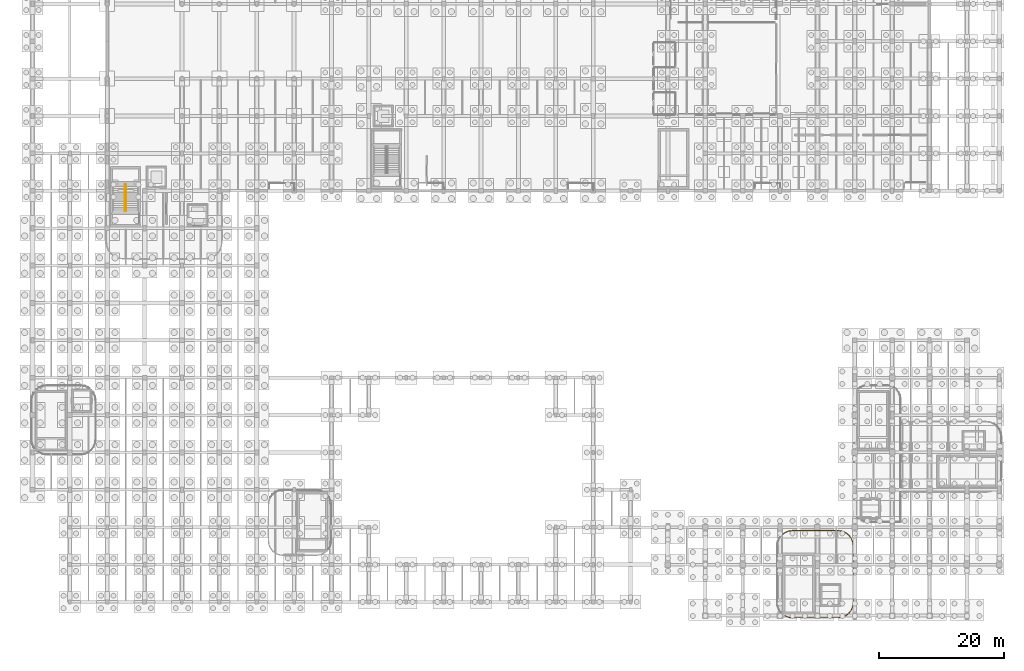
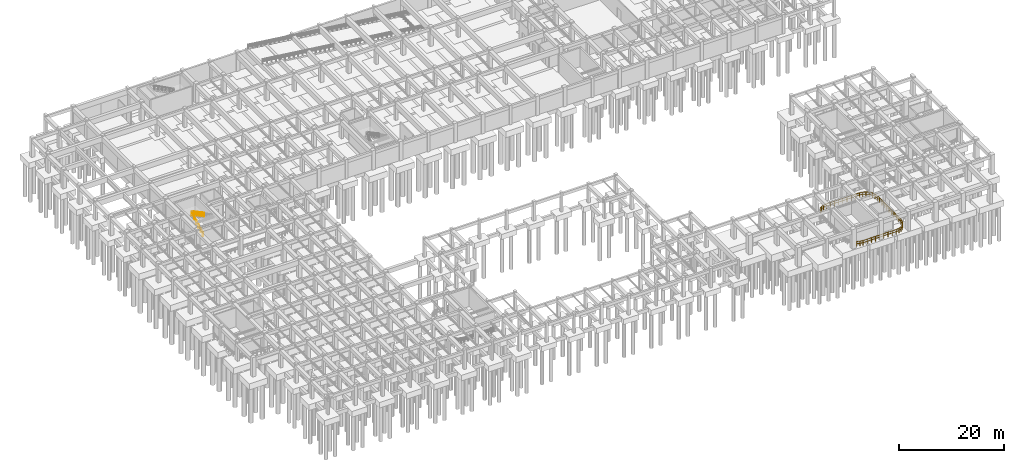
# One storey, part 25 of 32: 3 railings.
"""IFC4 building model written with IfcOpenShell, lengths in metres."""

import ifcopenshell
import ifcopenshell.guid

model = None  # the IFC model being written
_history = None  # IfcOwnerHistory: only IFC2X3 demands one
_inside = {}  # id of a spatial element -> (the spatial element, [elements in it])
_under = {}  # id of a project, library or spatial element -> (it, [spatial elements below it])
_declared = {}  # id of a project -> (the project, [libraries it declares])
_typed = {}  # id of a type object -> (the type object, [elements of that type])
_made_of = {}  # id of a material, layer set ... -> (it, [elements and type objects made of it])


def new_model(schema):
    """Start an empty IFC model of exactly this schema.

    Asked for "IFC4X3", IfcOpenShell would pick the latest addendum, in which some entities
    have other attributes; the version numbers below select the first issue.
    IFC2X3 requires an IfcOwnerHistory on every rooted entity: one is made here for all.
    """
    global model, _history
    if schema == "IFC4X3":
        model = ifcopenshell.file(schema_version=(4, 3, 0, 0))
    else:
        model = ifcopenshell.file(schema=schema)
    _inside.clear()
    _under.clear()
    _declared.clear()
    _typed.clear()
    _made_of.clear()
    _history = None
    if model.schema == "IFC2X3":
        org = make("IfcOrganization", Name="unknown")
        user = make(
            "IfcPersonAndOrganization",
            ThePerson=make("IfcPerson", FamilyName="unknown"),
            TheOrganization=org,
        )
        app = make(
            "IfcApplication",
            ApplicationDeveloper=org,
            Version="unknown",
            ApplicationFullName="unknown",
            ApplicationIdentifier="unknown",
        )
        _history = make(
            "IfcOwnerHistory",
            OwningUser=user,
            OwningApplication=app,
            ChangeAction="ADDED",
            CreationDate=0,
        )
    return model


def make(cls, **values):
    """One entity of the class cls with the attributes given. An attribute that is None is left unset."""
    return model.create_entity(
        cls, **{name: value for name, value in values.items() if value is not None}
    )


def rooted(cls, **values):
    """An entity with a GlobalId (a new one), such as an element, a storey or a relation."""
    return make(cls, GlobalId=ifcopenshell.guid.new(), OwnerHistory=_history, **values)


def si_unit(unit_type, name, prefix=None):
    """IfcSIUnit, for example si_unit("LENGTHUNIT", "METRE", prefix="MILLI")."""
    return make("IfcSIUnit", UnitType=unit_type, Prefix=prefix, Name=name)


def assignment(units):
    """IfcUnitAssignment: the units of a project."""
    return None if units is None else make("IfcUnitAssignment", Units=units)


def point(xyz):
    """IfcCartesianPoint."""
    return None if xyz is None else make("IfcCartesianPoint", Coordinates=xyz)


def direction(xyz):
    """IfcDirection."""
    return None if xyz is None else make("IfcDirection", DirectionRatios=xyz)


def frame(location, z_axis=None, x_axis=None):
    """IfcAxis2Placement3D, a coordinate frame: its origin and axes. An axis left out is left unset."""
    return make(
        "IfcAxis2Placement3D",
        Location=point(location),
        Axis=direction(z_axis),
        RefDirection=direction(x_axis),
    )


def frame_2d(location, x_axis=None):
    """IfcAxis2Placement2D, a coordinate frame in the plane: its origin and x axis."""
    return make(
        "IfcAxis2Placement2D", Location=point(location), RefDirection=direction(x_axis)
    )


def origin():
    """The frame at (0, 0, 0) with its axes left unset."""
    return frame((0.0, 0.0, 0.0))


def origin_2d():
    """The frame at (0, 0) in the plane with its x axis left unset."""
    return frame_2d((0.0, 0.0))


def place(relative_to, where):
    """IfcLocalPlacement: puts the frame where relative to a parent placement (None: the world)."""
    return make(
        "IfcLocalPlacement", PlacementRelTo=relative_to, RelativePlacement=where
    )


def context(
    kind, dimensions, precision=None, world=None, true_north=None, identifier=None
):
    """IfcGeometricRepresentationContext, for example the 3D "Model" context."""
    return make(
        "IfcGeometricRepresentationContext",
        ContextIdentifier=identifier,
        ContextType=kind,
        CoordinateSpaceDimension=dimensions,
        Precision=precision,
        WorldCoordinateSystem=world,
        TrueNorth=true_north,
    )


def subcontext(parent, identifier, kind, view, scale=None):
    """IfcGeometricRepresentationSubContext, for example "Body" below "Model"."""
    return make(
        "IfcGeometricRepresentationSubContext",
        ContextIdentifier=identifier,
        ContextType=kind,
        ParentContext=parent,
        TargetScale=scale,
        TargetView=view,
    )


def project(units=None, contexts=None):
    """IfcProject with its units and contexts."""
    return rooted(
        "IfcProject",
        Name="project",
        RepresentationContexts=contexts,
        UnitsInContext=assignment(units),
    )


def spatial(cls, under=None, at=None, **own):
    """A site, building, storey or space (cls), placed at a placement, below another one or the project."""
    s = rooted(cls, ObjectPlacement=at, **own)
    if under is not None:
        _under.setdefault(under.id(), (under, []))[1].append(s)
    return s


def profile(cls, at=None, kind="AREA", **sizes):
    """A parametric profile (cls). Its sizes go by their IFC names, for example OverallWidth=200.0."""
    return make(cls, ProfileType=kind, Position=at, **sizes)


def circle(**sizes):
    """IfcCircleProfileDef."""
    return profile("IfcCircleProfileDef", **sizes)


def extrude(swept, where, along, depth):
    """IfcExtrudedAreaSolid: the profile swept, set in the frame where, extruded along a direction by depth."""
    return make(
        "IfcExtrudedAreaSolid",
        SweptArea=swept,
        Position=where,
        ExtrudedDirection=direction(along),
        Depth=depth,
    )


def shape(context_of_items, identifier, shape_type, items):
    """IfcShapeRepresentation: the items that make up one representation, for example the "Body"."""
    return make(
        "IfcShapeRepresentation",
        ContextOfItems=context_of_items,
        RepresentationIdentifier=identifier,
        RepresentationType=shape_type,
        Items=items,
    )


def material(Name=None, Category=None):
    """IfcMaterial."""
    return make("IfcMaterial", Name=Name, Category=Category)


def made_of(thing, what):
    """Note that an element or type object is made of a material, layer set ...; save() writes the relation."""
    if what is not None:
        _made_of.setdefault(what.id(), (what, []))[1].append(thing)
    return thing


def type_object(cls, material=None, **own):
    """A type object (cls), such as IfcWallType, which elements share."""
    return made_of(rooted(cls, **own), material)


def element(
    cls,
    number,
    at=None,
    inside=None,
    cuts=None,
    type_object=None,
    material=None,
    context=None,
    identifier="Body",
    shape_type=None,
    held_by="IfcProductDefinitionShape",
    body=None,
    shapes=None,
    **own,
):
    """One element of the class cls, such as IfcWall. Its Tag is "e" and its number.

    at: its placement. inside: the storey or other place that contains it. cuts: it is an
    opening in that element (IfcRelVoidsElement). A single representation is given by context,
    identifier, shape_type and body (its items); several are given by shapes. held_by: the class
    of the entity that holds the representations. save() writes the other relations.
    """
    e = rooted(cls, Tag="e%d" % number, ObjectPlacement=at, **own)
    if body is not None:
        shapes = [shape(context, identifier, shape_type, body)]
    if shapes is not None:
        e.Representation = make(held_by, Representations=shapes)
    if inside is not None:
        _inside.setdefault(inside.id(), (inside, []))[1].append(e)
    if cuts is not None:
        rooted(
            "IfcRelVoidsElement", RelatingBuildingElement=cuts, RelatedOpeningElement=e
        )
    if type_object is not None:
        _typed.setdefault(type_object.id(), (type_object, []))[1].append(e)
    return made_of(e, material)


def aggregate(whole, parts):
    """IfcRelAggregates: a whole, such as a stair, and the parts it consists of."""
    return rooted("IfcRelAggregates", RelatingObject=whole, RelatedObjects=parts)


def save(model, path):
    """Write the relations noted so far, then the file.

    IfcRelAggregates (storeys below a building ...), IfcRelContainedInSpatialStructure (elements
    in a storey), IfcRelDefinesByType, IfcRelAssociatesMaterial and IfcRelDeclares: one each for
    every whole, place, type object, material and project.
    """
    for whole, parts in _under.values():
        aggregate(whole, parts)
    for where, things in _inside.values():
        rooted(
            "IfcRelContainedInSpatialStructure",
            RelatedElements=things,
            RelatingStructure=where,
        )
    for kind, things in _typed.values():
        rooted("IfcRelDefinesByType", RelatedObjects=things, RelatingType=kind)
    for what, things in _made_of.values():
        rooted("IfcRelAssociatesMaterial", RelatedObjects=things, RelatingMaterial=what)
    for by, libraries in _declared.values():
        rooted("IfcRelDeclares", RelatingContext=by, RelatedDefinitions=libraries)
    model.write(path)


model = new_model("IFC4")

# Units and contexts
model_context = context("Model", 3, precision=1e-05, world=origin(), true_north=direction((0.0, 1.0)))
body_context = subcontext(model_context, "Body", "Model", "MODEL_VIEW")
ifc_project = project(units=[si_unit("LENGTHUNIT", "METRE"), si_unit("AREAUNIT", "SQUARE_METRE"), si_unit("VOLUMEUNIT", "CUBIC_METRE"), si_unit("PLANEANGLEUNIT", "RADIAN"), si_unit("MASSUNIT", "GRAM", prefix="KILO")], contexts=[model_context])

# Site, building, storey
site_placement = place(None, origin())
site = spatial("IfcSite", under=ifc_project, at=site_placement, CompositionType="ELEMENT")
building_placement = place(site_placement, origin())
building = spatial("IfcBuilding", under=site, at=building_placement, Name="Varnakota Square Police Headquarters", CompositionType="ELEMENT")
storey_placement = place(building_placement, frame((0.0, 0.0, -4.5)))
storey = spatial("IfcBuildingStorey", under=building, at=storey_placement, Name="B1", CompositionType="ELEMENT", Elevation=-4.5)

# Railings
ifc_material_1 = material(Name="Galvanised Powder-Coated Steel Guardrail", Category="steel")
railing_type_1 = type_object("IfcRailingType", Name="RL-BAL-1150", PredefinedType="BALUSTRADE", material=ifc_material_1)
railing_1_placement = place(storey_placement, frame((126.267822265625, 13.732177734375, 0.0)))
element("IfcRailing", 1, at=railing_1_placement, inside=storey, type_object=railing_type_1, Name="Perimeter edge safety guard GD-AUTO-B1-015", PredefinedType="BALUSTRADE", context=body_context, shape_type="SweptSolid", body=[
    extrude(circle(Radius=0.02392578125, at=origin_2d()), frame((0.0, 0.0, 1.1259765625), z_axis=(0.793446547056, 0.60863994033, 0.0), x_axis=(-0.60863994033, 0.793446547056, 0.0)), (0.0, 0.0, 1.0), 0.639404296875),
    extrude(circle(Radius=0.01806640625, at=origin_2d()), frame((0.0, 0.0, 0.63232421875), z_axis=(0.793446547056, 0.60863994033, 0.0), x_axis=(-0.60863994033, 0.793446547056, 0.0)), (0.0, 0.0, 1.0), 0.639404296875),
    extrude(circle(Radius=0.02392578125, at=origin_2d()), frame((0.50732421875, 0.38916015625, 1.1259765625), z_axis=(0.923854035985, 0.382744980625, 0.0), x_axis=(-0.382744980625, 0.923854035985, 0.0)), (0.0, 0.0, 1.0), 0.639892578125),
    extrude(circle(Radius=0.01806640625, at=origin_2d()), frame((0.50732421875, 0.38916015625, 0.63232421875), z_axis=(0.923854035985, 0.382744980625, 0.0), x_axis=(-0.382744980625, 0.923854035985, 0.0)), (0.0, 0.0, 1.0), 0.639892578125),
    extrude(circle(Radius=0.02392578125, at=origin_2d()), frame((1.098388671875, 0.634033203125, 1.1259765625), z_axis=(0.991474970644, 0.130297285414, 0.0), x_axis=(-0.130297285414, 0.991474970644, 0.0)), (0.0, 0.0, 1.0), 0.642578125),
    extrude(circle(Radius=0.01806640625, at=origin_2d()), frame((1.098388671875, 0.634033203125, 0.63232421875), z_axis=(0.991474970644, 0.130297285414, 0.0), x_axis=(-0.130297285414, 0.991474970644, 0.0)), (0.0, 0.0, 1.0), 0.642578125),
    extrude(circle(Radius=0.02392578125, at=origin_2d()), frame((1.735595703125, 0.7177734375, 1.1259765625), z_axis=(1.0, 0.0, 0.0), x_axis=(0.0, 1.0, 0.0)), (0.0, 0.0, 1.0), 7.293212890625),
    extrude(circle(Radius=0.01806640625, at=origin_2d()), frame((1.735595703125, 0.7177734375, 0.63232421875), z_axis=(1.0, 0.0, 0.0), x_axis=(0.0, 1.0, 0.0)), (0.0, 0.0, 1.0), 7.293212890625),
    extrude(circle(Radius=0.02392578125, at=origin_2d()), frame((9.02880859375, 0.7177734375, 1.1259765625), z_axis=(0.991474970644, -0.130297285414, 0.0), x_axis=(0.130297285414, 0.991474970644, 0.0)), (0.0, 0.0, 1.0), 0.642578125),
    extrude(circle(Radius=0.01806640625, at=origin_2d()), frame((9.02880859375, 0.7177734375, 0.63232421875), z_axis=(0.991474970644, -0.130297285414, 0.0), x_axis=(0.130297285414, 0.991474970644, 0.0)), (0.0, 0.0, 1.0), 0.642578125),
    extrude(circle(Radius=0.02392578125, at=origin_2d()), frame((9.666015625, 0.634033203125, 1.1259765625), z_axis=(0.923854035985, -0.382744980625, 0.0), x_axis=(0.382744980625, 0.923854035985, 0.0)), (0.0, 0.0, 1.0), 0.639892578125),
    extrude(circle(Radius=0.01806640625, at=origin_2d()), frame((9.666015625, 0.634033203125, 0.63232421875), z_axis=(0.923854035985, -0.382744980625, 0.0), x_axis=(0.382744980625, 0.923854035985, 0.0)), (0.0, 0.0, 1.0), 0.639892578125),
    extrude(circle(Radius=0.02392578125, at=origin_2d()), frame((10.257080078125, 0.38916015625, 1.1259765625), z_axis=(0.793305035986, -0.608824375234, 0.0), x_axis=(0.608824375234, 0.793305035986, 0.0)), (0.0, 0.0, 1.0), 0.63916015625),
    extrude(circle(Radius=0.01806640625, at=origin_2d()), frame((10.257080078125, 0.38916015625, 0.63232421875), z_axis=(0.793305035986, -0.608824375234, 0.0), x_axis=(0.608824375234, 0.793305035986, 0.0)), (0.0, 0.0, 1.0), 0.63916015625),
    extrude(circle(Radius=0.02392578125, at=origin_2d()), frame((10.76416015625, 0.0, 1.1259765625), z_axis=(0.608880241612, -0.793262158038, 0.0), x_axis=(0.793262158038, 0.608880241612, 0.0)), (0.0, 0.0, 1.0), 0.6396484375),
    extrude(circle(Radius=0.01806640625, at=origin_2d()), frame((10.76416015625, 0.0, 0.63232421875), z_axis=(0.608880241612, -0.793262158038, 0.0), x_axis=(0.793262158038, 0.608880241612, 0.0)), (0.0, 0.0, 1.0), 0.6396484375),
    extrude(circle(Radius=0.02392578125, at=origin_2d()), frame((11.153564453125, -0.50732421875, 1.1259765625), z_axis=(0.382419211126, -0.923988932272, 0.0), x_axis=(0.923988932272, 0.382419211126, 0.0)), (0.0, 0.0, 1.0), 0.6396484375),
    extrude(circle(Radius=0.01806640625, at=origin_2d()), frame((11.153564453125, -0.50732421875, 0.63232421875), z_axis=(0.382419211126, -0.923988932272, 0.0), x_axis=(0.923988932272, 0.382419211126, 0.0)), (0.0, 0.0, 1.0), 0.6396484375),
    extrude(circle(Radius=0.02392578125, at=origin_2d()), frame((11.398193359375, -1.098388671875, 1.1259765625), z_axis=(0.130670683841, -0.991425827979, 0.0), x_axis=(0.991425827979, 0.130670683841, 0.0)), (0.0, 0.0, 1.0), 0.642822265625),
    extrude(circle(Radius=0.01806640625, at=origin_2d()), frame((11.398193359375, -1.098388671875, 0.63232421875), z_axis=(0.130670683841, -0.991425827979, 0.0), x_axis=(0.991425827979, 0.130670683841, 0.0)), (0.0, 0.0, 1.0), 0.642822265625),
    extrude(circle(Radius=0.02392578125, at=origin_2d()), frame((11.482177734375, -1.735595703125, 1.1259765625), z_axis=(0.0, -1.0, 0.0), x_axis=(1.0, 0.0, 0.0)), (0.0, 0.0, 1.0), 9.09326171875),
    extrude(circle(Radius=0.01806640625, at=origin_2d()), frame((11.482177734375, -1.735595703125, 0.63232421875), z_axis=(0.0, -1.0, 0.0), x_axis=(1.0, 0.0, 0.0)), (0.0, 0.0, 1.0), 9.09326171875),
    extrude(circle(Radius=0.02392578125, at=origin_2d()), frame((11.482177734375, -10.828857421875, 1.1259765625), z_axis=(-0.130670683841, -0.991425827979, 0.0), x_axis=(0.991425827979, -0.130670683841, 0.0)), (0.0, 0.0, 1.0), 0.642822265625),
    extrude(circle(Radius=0.01806640625, at=origin_2d()), frame((11.482177734375, -10.828857421875, 0.63232421875), z_axis=(-0.130670683841, -0.991425827979, 0.0), x_axis=(0.991425827979, -0.130670683841, 0.0)), (0.0, 0.0, 1.0), 0.642822265625),
    extrude(circle(Radius=0.02392578125, at=origin_2d()), frame((11.398193359375, -11.466064453125, 1.1259765625), z_axis=(-0.382554113162, -0.923933087676, 0.0), x_axis=(0.923933087676, -0.382554113162, 0.0)), (0.0, 0.0, 1.0), 0.639404296875),
    extrude(circle(Radius=0.01806640625, at=origin_2d()), frame((11.398193359375, -11.466064453125, 0.63232421875), z_axis=(-0.382554113162, -0.923933087676, 0.0), x_axis=(0.923933087676, -0.382554113162, 0.0)), (0.0, 0.0, 1.0), 0.639404296875),
    extrude(circle(Radius=0.02392578125, at=origin_2d()), frame((11.153564453125, -12.056884765625, 1.1259765625), z_axis=(-0.608880241612, -0.793262158038, 0.0), x_axis=(0.793262158038, -0.608880241612, 0.0)), (0.0, 0.0, 1.0), 0.6396484375),
    extrude(circle(Radius=0.01806640625, at=origin_2d()), frame((11.153564453125, -12.056884765625, 0.63232421875), z_axis=(-0.608880241612, -0.793262158038, 0.0), x_axis=(0.793262158038, -0.608880241612, 0.0)), (0.0, 0.0, 1.0), 0.6396484375),
    extrude(circle(Radius=0.02392578125, at=origin_2d()), frame((10.76416015625, -12.564208984375, 1.1259765625), z_axis=(-0.793120568146, -0.609064663549, 0.0), x_axis=(0.609064663549, -0.793120568146, 0.0)), (0.0, 0.0, 1.0), 0.639404296875),
    extrude(circle(Radius=0.01806640625, at=origin_2d()), frame((10.76416015625, -12.564208984375, 0.63232421875), z_axis=(-0.793120568146, -0.609064663549, 0.0), x_axis=(0.609064663549, -0.793120568146, 0.0)), (0.0, 0.0, 1.0), 0.639404296875),
    extrude(circle(Radius=0.02392578125, at=origin_2d()), frame((10.257080078125, -12.95361328125, 1.1259765625), z_axis=(-0.923988932272, -0.382419211126, 0.0), x_axis=(0.382419211126, -0.923988932272, 0.0)), (0.0, 0.0, 1.0), 0.6396484375),
    extrude(circle(Radius=0.01806640625, at=origin_2d()), frame((10.257080078125, -12.95361328125, 0.63232421875), z_axis=(-0.923988932272, -0.382419211126, 0.0), x_axis=(0.382419211126, -0.923988932272, 0.0)), (0.0, 0.0, 1.0), 0.6396484375),
    extrude(circle(Radius=0.02392578125, at=origin_2d()), frame((9.666015625, -13.1982421875, 1.1259765625), z_axis=(-0.991425827979, -0.130670683841, 0.0), x_axis=(0.130670683841, -0.991425827979, 0.0)), (0.0, 0.0, 1.0), 0.642822265625),
    extrude(circle(Radius=0.01806640625, at=origin_2d()), frame((9.666015625, -13.1982421875, 0.63232421875), z_axis=(-0.991425827979, -0.130670683841, 0.0), x_axis=(0.130670683841, -0.991425827979, 0.0)), (0.0, 0.0, 1.0), 0.642822265625),
    extrude(circle(Radius=0.02392578125, at=origin_2d()), frame((9.02880859375, -13.2822265625, 1.1259765625), z_axis=(-1.0, 0.0, 0.0), x_axis=(0.0, -1.0, 0.0)), (0.0, 0.0, 1.0), 7.293212890625),
    extrude(circle(Radius=0.01806640625, at=origin_2d()), frame((9.02880859375, -13.2822265625, 0.63232421875), z_axis=(-1.0, 0.0, 0.0), x_axis=(0.0, -1.0, 0.0)), (0.0, 0.0, 1.0), 7.293212890625),
    extrude(circle(Radius=0.02392578125, at=origin_2d()), frame((1.735595703125, -13.2822265625, 1.1259765625), z_axis=(-0.991425827979, 0.130670683841, 0.0), x_axis=(-0.130670683841, -0.991425827979, 0.0)), (0.0, 0.0, 1.0), 0.642822265625),
    extrude(circle(Radius=0.01806640625, at=origin_2d()), frame((1.735595703125, -13.2822265625, 0.63232421875), z_axis=(-0.991425827979, 0.130670683841, 0.0), x_axis=(-0.130670683841, -0.991425827979, 0.0)), (0.0, 0.0, 1.0), 0.642822265625),
    extrude(circle(Radius=0.02392578125, at=origin_2d()), frame((1.098388671875, -13.1982421875, 1.1259765625), z_axis=(-0.919107355423, 0.394007194361, 0.0), x_axis=(-0.394007194361, -0.919107355423, 0.0)), (0.0, 0.0, 1.0), 0.67041015625),
    extrude(circle(Radius=0.01806640625, at=origin_2d()), frame((1.098388671875, -13.1982421875, 0.63232421875), z_axis=(-0.919107355423, 0.394007194361, 0.0), x_axis=(-0.394007194361, -0.919107355423, 0.0)), (0.0, 0.0, 1.0), 0.67041015625),
    extrude(circle(Radius=0.02099609375, at=origin_2d()), origin(), (0.0, 0.0, 1.0), 1.101806640625),
    extrude(circle(Radius=0.02099609375, at=origin_2d()), frame((0.50732421875, 0.38916015625, 0.0)), (0.0, 0.0, 1.0), 1.101806640625),
    extrude(circle(Radius=0.02099609375, at=origin_2d()), frame((1.098388671875, 0.634033203125, 0.0)), (0.0, 0.0, 1.0), 1.101806640625),
    extrude(circle(Radius=0.02099609375, at=origin_2d()), frame((1.735595703125, 0.7177734375, 0.0)), (0.0, 0.0, 1.0), 1.101806640625),
    extrude(circle(Radius=0.02099609375, at=origin_2d()), frame((2.647216796875, 0.7177734375, 0.0)), (0.0, 0.0, 1.0), 1.101806640625),
    extrude(circle(Radius=0.02099609375, at=origin_2d()), frame((3.558837890625, 0.7177734375, 0.0)), (0.0, 0.0, 1.0), 1.101806640625),
    extrude(circle(Radius=0.02099609375, at=origin_2d()), frame((4.470458984375, 0.7177734375, 0.0)), (0.0, 0.0, 1.0), 1.101806640625),
    extrude(circle(Radius=0.02099609375, at=origin_2d()), frame((5.38232421875, 0.7177734375, 0.0)), (0.0, 0.0, 1.0), 1.101806640625),
    extrude(circle(Radius=0.02099609375, at=origin_2d()), frame((6.2939453125, 0.7177734375, 0.0)), (0.0, 0.0, 1.0), 1.101806640625),
    extrude(circle(Radius=0.02099609375, at=origin_2d()), frame((7.20556640625, 0.7177734375, 0.0)), (0.0, 0.0, 1.0), 1.101806640625),
    extrude(circle(Radius=0.02099609375, at=origin_2d()), frame((8.1171875, 0.7177734375, 0.0)), (0.0, 0.0, 1.0), 1.101806640625),
    extrude(circle(Radius=0.02099609375, at=origin_2d()), frame((9.02880859375, 0.7177734375, 0.0)), (0.0, 0.0, 1.0), 1.101806640625),
    extrude(circle(Radius=0.02099609375, at=origin_2d()), frame((9.666015625, 0.634033203125, 0.0)), (0.0, 0.0, 1.0), 1.101806640625),
    extrude(circle(Radius=0.02099609375, at=origin_2d()), frame((10.257080078125, 0.38916015625, 0.0)), (0.0, 0.0, 1.0), 1.101806640625),
    extrude(circle(Radius=0.02099609375, at=origin_2d()), frame((10.76416015625, 0.0, 0.0)), (0.0, 0.0, 1.0), 1.101806640625),
    extrude(circle(Radius=0.02099609375, at=origin_2d()), frame((11.153564453125, -0.50732421875, 0.0)), (0.0, 0.0, 1.0), 1.101806640625),
    extrude(circle(Radius=0.02099609375, at=origin_2d()), frame((11.398193359375, -1.098388671875, 0.0)), (0.0, 0.0, 1.0), 1.101806640625),
    extrude(circle(Radius=0.02099609375, at=origin_2d()), frame((11.482177734375, -1.735595703125, 0.0)), (0.0, 0.0, 1.0), 1.101806640625),
    extrude(circle(Radius=0.02099609375, at=origin_2d()), frame((11.482177734375, -2.64501953125, 0.0)), (0.0, 0.0, 1.0), 1.101806640625),
    extrude(circle(Radius=0.02099609375, at=origin_2d()), frame((11.482177734375, -3.55419921875, 0.0)), (0.0, 0.0, 1.0), 1.101806640625),
    extrude(circle(Radius=0.02099609375, at=origin_2d()), frame((11.482177734375, -4.463623046875, 0.0)), (0.0, 0.0, 1.0), 1.101806640625),
    extrude(circle(Radius=0.02099609375, at=origin_2d()), frame((11.482177734375, -5.372802734375, 0.0)), (0.0, 0.0, 1.0), 1.101806640625),
    extrude(circle(Radius=0.02099609375, at=origin_2d()), frame((11.482177734375, -6.2822265625, 0.0)), (0.0, 0.0, 1.0), 1.101806640625),
    extrude(circle(Radius=0.02099609375, at=origin_2d()), frame((11.482177734375, -7.191650390625, 0.0)), (0.0, 0.0, 1.0), 1.101806640625),
    extrude(circle(Radius=0.02099609375, at=origin_2d()), frame((11.482177734375, -8.100830078125, 0.0)), (0.0, 0.0, 1.0), 1.101806640625),
    extrude(circle(Radius=0.02099609375, at=origin_2d()), frame((11.482177734375, -9.01025390625, 0.0)), (0.0, 0.0, 1.0), 1.101806640625),
    extrude(circle(Radius=0.02099609375, at=origin_2d()), frame((11.482177734375, -9.91943359375, 0.0)), (0.0, 0.0, 1.0), 1.101806640625),
    extrude(circle(Radius=0.02099609375, at=origin_2d()), frame((11.482177734375, -10.828857421875, 0.0)), (0.0, 0.0, 1.0), 1.101806640625),
    extrude(circle(Radius=0.02099609375, at=origin_2d()), frame((11.398193359375, -11.466064453125, 0.0)), (0.0, 0.0, 1.0), 1.101806640625),
    extrude(circle(Radius=0.02099609375, at=origin_2d()), frame((11.153564453125, -12.056884765625, 0.0)), (0.0, 0.0, 1.0), 1.101806640625),
    extrude(circle(Radius=0.02099609375, at=origin_2d()), frame((10.76416015625, -12.564208984375, 0.0)), (0.0, 0.0, 1.0), 1.101806640625),
    extrude(circle(Radius=0.02099609375, at=origin_2d()), frame((10.257080078125, -12.95361328125, 0.0)), (0.0, 0.0, 1.0), 1.101806640625),
    extrude(circle(Radius=0.02099609375, at=origin_2d()), frame((9.666015625, -13.1982421875, 0.0)), (0.0, 0.0, 1.0), 1.101806640625),
    extrude(circle(Radius=0.02099609375, at=origin_2d()), frame((9.02880859375, -13.2822265625, 0.0)), (0.0, 0.0, 1.0), 1.101806640625),
    extrude(circle(Radius=0.02099609375, at=origin_2d()), frame((8.1171875, -13.2822265625, 0.0)), (0.0, 0.0, 1.0), 1.101806640625),
    extrude(circle(Radius=0.02099609375, at=origin_2d()), frame((7.20556640625, -13.2822265625, 0.0)), (0.0, 0.0, 1.0), 1.101806640625),
    extrude(circle(Radius=0.02099609375, at=origin_2d()), frame((6.2939453125, -13.2822265625, 0.0)), (0.0, 0.0, 1.0), 1.101806640625),
    extrude(circle(Radius=0.02099609375, at=origin_2d()), frame((5.38232421875, -13.2822265625, 0.0)), (0.0, 0.0, 1.0), 1.101806640625),
    extrude(circle(Radius=0.02099609375, at=origin_2d()), frame((4.470458984375, -13.2822265625, 0.0)), (0.0, 0.0, 1.0), 1.101806640625),
    extrude(circle(Radius=0.02099609375, at=origin_2d()), frame((3.558837890625, -13.2822265625, 0.0)), (0.0, 0.0, 1.0), 1.101806640625),
    extrude(circle(Radius=0.02099609375, at=origin_2d()), frame((2.647216796875, -13.2822265625, 0.0)), (0.0, 0.0, 1.0), 1.101806640625),
    extrude(circle(Radius=0.02099609375, at=origin_2d()), frame((1.735595703125, -13.2822265625, 0.0)), (0.0, 0.0, 1.0), 1.101806640625),
    extrude(circle(Radius=0.02099609375, at=origin_2d()), frame((1.098388671875, -13.1982421875, 0.0)), (0.0, 0.0, 1.0), 1.101806640625),
    extrude(circle(Radius=0.02099609375, at=origin_2d()), frame((0.482177734375, -12.93408203125, 0.0)), (0.0, 0.0, 1.0), 1.101806640625),
])
ifc_material_2 = material(Name="Brushed Stainless Steel Tubular Handrail", Category="steel")
railing_type_2 = type_object("IfcRailingType", Name="RL-HND-920", PredefinedType="HANDRAIL", material=ifc_material_2)
railing_2_placement = place(storey_placement, frame((20.830078125, 65.75, 0.0)))
element("IfcRailing", 2, at=railing_2_placement, inside=storey, type_object=railing_type_2, Name="Stair flight handrail HR-B1-053", PredefinedType="HANDRAIL", context=body_context, shape_type="SweptSolid", body=[
    extrude(circle(Radius=0.02392578125, at=origin_2d()), frame((0.0, 0.0, 0.89599609375), z_axis=(0.0, 0.881511956786, 0.472161699043), x_axis=(-1.0, 0.0, 0.0)), (0.0, 0.0, 1.0), 4.765380859375),
    extrude(circle(Radius=0.02099609375, at=origin_2d()), origin(), (0.0, 0.0, 1.0), 0.871826171875),
    extrude(circle(Radius=0.02099609375, at=origin_2d()), frame((0.0, 0.840087890625, 0.449951171875)), (0.0, 0.0, 1.0), 0.871826171875),
    extrude(circle(Radius=0.02099609375, at=origin_2d()), frame((0.0, 1.68017578125, 0.89990234375)), (0.0, 0.0, 1.0), 0.871826171875),
    extrude(circle(Radius=0.02099609375, at=origin_2d()), frame((0.0, 2.5205078125, 1.35009765625)), (0.0, 0.0, 1.0), 0.871826171875),
    extrude(circle(Radius=0.02099609375, at=origin_2d()), frame((0.0, 3.360595703125, 1.800048828125)), (0.0, 0.0, 1.0), 0.871826171875),
    extrude(circle(Radius=0.02099609375, at=origin_2d()), frame((0.0, 4.20068359375, 2.25)), (0.0, 0.0, 1.0), 0.871826171875),
])
railing_3_placement = place(storey_placement, frame((21.070068359375, 69.95068359375, 2.25)))
element("IfcRailing", 3, at=railing_3_placement, inside=storey, type_object=railing_type_2, Name="Stair flight handrail HR-B1-054", PredefinedType="HANDRAIL", context=body_context, shape_type="SweptSolid", body=[
    extrude(circle(Radius=0.02392578125, at=origin_2d()), frame((0.0, 0.0, 0.89599609375), z_axis=(0.0, -0.881511956786, 0.472161699043), x_axis=(1.0, 0.0, 0.0)), (0.0, 0.0, 1.0), 4.765380859375),
    extrude(circle(Radius=0.02099609375, at=origin_2d()), origin(), (0.0, 0.0, 1.0), 0.871826171875),
    extrude(circle(Radius=0.02099609375, at=origin_2d()), frame((0.0, -0.840087890625, 0.449951171875)), (0.0, 0.0, 1.0), 0.871826171875),
    extrude(circle(Radius=0.02099609375, at=origin_2d()), frame((0.0, -1.68017578125, 0.89990234375)), (0.0, 0.0, 1.0), 0.871826171875),
    extrude(circle(Radius=0.02099609375, at=origin_2d()), frame((0.0, -2.5205078125, 1.35009765625)), (0.0, 0.0, 1.0), 0.871826171875),
    extrude(circle(Radius=0.02099609375, at=origin_2d()), frame((0.0, -3.360595703125, 1.800048828125)), (0.0, 0.0, 1.0), 0.871826171875),
    extrude(circle(Radius=0.02099609375, at=origin_2d()), frame((0.0, -4.20068359375, 2.25)), (0.0, 0.0, 1.0), 0.871826171875),
])

save(model, "model.ifc")
